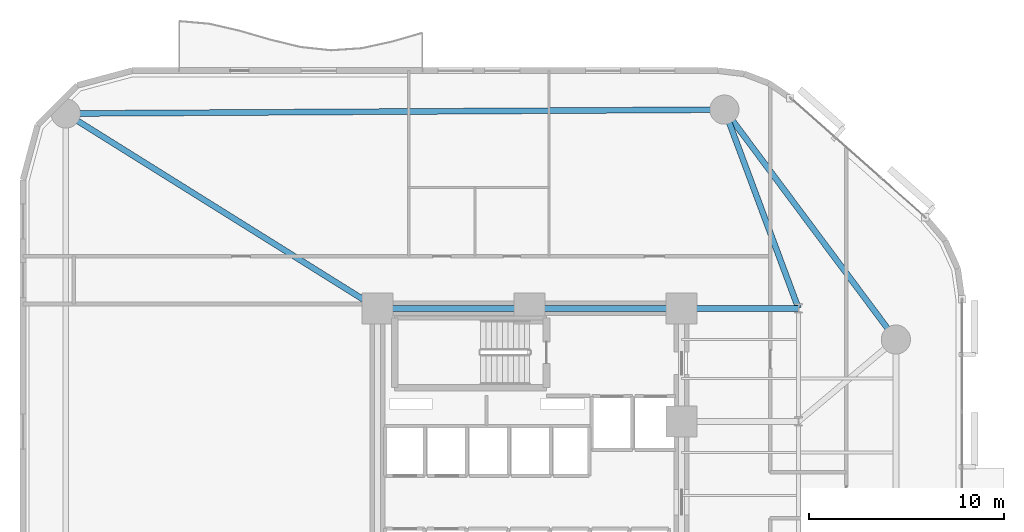
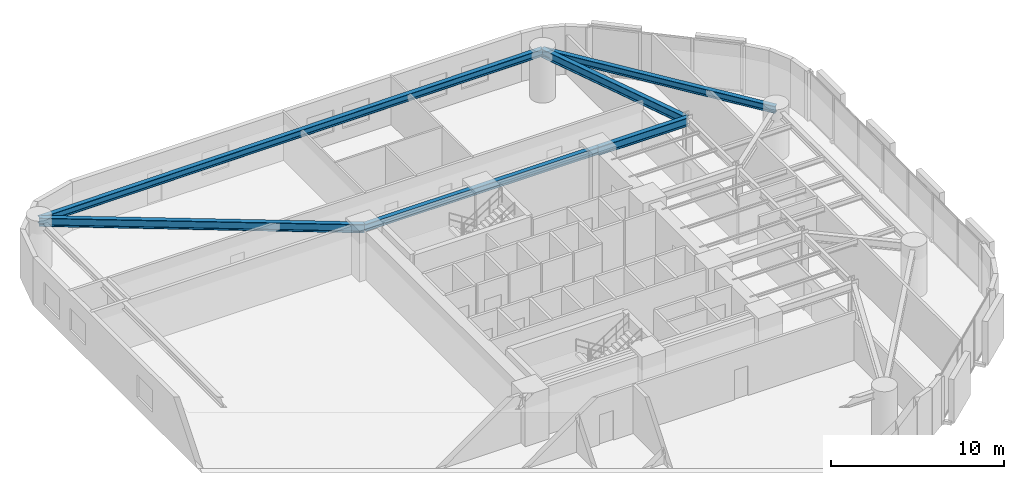
# One storey, part 7 of 15: 6 beams.
"""IFC4 building model written with IfcOpenShell, lengths in metres."""

from ifc_helpers import new_model, si_unit, direction, frame, origin, origin_2d, place, context, subcontext, project, spatial, i_section, extrude, material, material_profile, profile_set, type_object, element, save


model = new_model("IFC4")

# Units and contexts
model_context = context("Model", 3, precision=1e-05, world=origin(), true_north=direction((0.0, 1.0)))
body_context = subcontext(model_context, "Body", "Model", "MODEL_VIEW")
ifc_project = project(units=[si_unit("LENGTHUNIT", "METRE"), si_unit("AREAUNIT", "SQUARE_METRE"), si_unit("VOLUMEUNIT", "CUBIC_METRE"), si_unit("PLANEANGLEUNIT", "RADIAN"), si_unit("MASSUNIT", "GRAM", prefix="KILO")], contexts=[model_context])

# Site, building, storey
site_placement = place(None, origin())
site = spatial("IfcSite", under=ifc_project, at=site_placement, CompositionType="ELEMENT")
building_placement = place(site_placement, origin())
building = spatial("IfcBuilding", under=site, at=building_placement, Name="An Khanh Terracotta Commons", CompositionType="ELEMENT")
storey_placement = place(building_placement, frame((0.0, 0.0, 61.199951171875)))
storey = spatial("IfcBuildingStorey", under=building, at=storey_placement, Name="L16", CompositionType="ELEMENT", Elevation=61.199951171875)

# Beams
ifc_material = material(Name="Steel S355J2", Category="steel")
ifc_material_profile_1 = material_profile(ifc_material, i_section(OverallWidth=0.300048828125, OverallDepth=0.5, WebThickness=0.014404296875, FlangeThickness=0.028076171875, FilletRadius=0.027099609375, at=origin_2d()), Name="HEB500")
ifc_profile_set_1 = profile_set([ifc_material_profile_1], Name="Steel S355J2")
beam_type_1 = type_object("IfcBeamType", Name="BM-HEB500", PredefinedType="BEAM", material=ifc_profile_set_1)
beam_1_placement = place(storey_placement, frame((21.60009765625, 33.60009765625, 3.150146484375), z_axis=(1.0, 0.0, 0.0), x_axis=(0.0, 1.0, 0.0)))
element("IfcBeam", 1, at=beam_1_placement, inside=storey, type_object=beam_type_1, Name="L16 Core North Coupling Girder", PredefinedType="BEAM", context=body_context, shape_type="SweptSolid", body=[
    extrude(i_section(OverallWidth=0.300048828125, OverallDepth=0.5, WebThickness=0.014404296875, FlangeThickness=0.028076171875, FilletRadius=0.027099609375, at=origin_2d()), origin(), (0.0, 0.0, 1.0), 15.599853515625),
])
beam_2_placement = place(storey_placement, frame((48.199951171875, 32.0, 3.150146484375), z_axis=(-0.59782442166, 0.801627070942, 0.0), x_axis=(-0.801627070942, -0.59782442166, 0.0)))
element("IfcBeam", 2, at=beam_2_placement, inside=storey, type_object=beam_type_1, Name="L16 Perimeter Ring Spandrel 4", PredefinedType="BEAM", context=body_context, shape_type="SweptSolid", body=[
    extrude(i_section(OverallWidth=0.300048828125, OverallDepth=0.5, WebThickness=0.014404296875, FlangeThickness=0.028076171875, FilletRadius=0.027099609375, at=origin_2d()), origin(), (0.0, 0.0, 1.0), 14.72021484375),
])
beam_3_placement = place(storey_placement, frame((39.39990234375, 43.800048828125, 3.150146484375), z_axis=(-0.999982502414, -0.005915645817, 0.0), x_axis=(0.005915645817, -0.999982502414, 0.0)))
element("IfcBeam", 3, at=beam_3_placement, inside=storey, type_object=beam_type_1, Name="L16 Perimeter Ring Spandrel 5", PredefinedType="BEAM", context=body_context, shape_type="SweptSolid", body=[
    extrude(i_section(OverallWidth=0.300048828125, OverallDepth=0.5, WebThickness=0.014404296875, FlangeThickness=0.028076171875, FilletRadius=0.027099609375, at=origin_2d()), origin(), (0.0, 0.0, 1.0), 33.80029296875),
])
ifc_material_profile_2 = material_profile(ifc_material, i_section(OverallWidth=0.300048828125, OverallDepth=0.60009765625, WebThickness=0.015380859375, FlangeThickness=0.030029296875, FilletRadius=0.027099609375, at=origin_2d()), Name="HEB600")
ifc_profile_set_2 = profile_set([ifc_material_profile_2], Name="Steel S355J2")
beam_type_2 = type_object("IfcBeamType", Name="BM-HEB600", PredefinedType="BEAM", material=ifc_profile_set_2)
beam_4_placement = place(storey_placement, frame((37.199951171875, 33.60009765625, 3.10009765625), z_axis=(1.0, 0.0, 0.0), x_axis=(0.0, 1.0, 0.0)))
element("IfcBeam", 4, at=beam_4_placement, inside=storey, type_object=beam_type_2, Name="L16 East Primary Floor Girder 4", PredefinedType="BEAM", context=body_context, shape_type="SweptSolid", body=[
    extrude(i_section(OverallWidth=0.300048828125, OverallDepth=0.60009765625, WebThickness=0.015380859375, FlangeThickness=0.030029296875, FilletRadius=0.027099609375, at=origin_2d()), origin(), (0.0, 0.0, 1.0), 6.0),
])
beam_5_placement = place(storey_placement, frame((39.39990234375, 43.800048828125, 3.10009765625), z_axis=(0.349114429862, -0.937080100558, 0.0), x_axis=(0.937080100558, 0.349114429862, 0.0)))
element("IfcBeam", 5, at=beam_5_placement, inside=storey, type_object=beam_type_2, Name="L16 Mega-Column Tie Girder 5", PredefinedType="BEAM", context=body_context, shape_type="SweptSolid", body=[
    extrude(i_section(OverallWidth=0.300048828125, OverallDepth=0.60009765625, WebThickness=0.015380859375, FlangeThickness=0.030029296875, FilletRadius=0.027099609375, at=origin_2d()), origin(), (0.0, 0.0, 1.0), 10.884765625),
])
beam_6_placement = place(storey_placement, frame((5.60009765625, 43.60009765625, 3.10009765625), z_axis=(0.847998304005, -0.529998940003, 0.0), x_axis=(0.529998940003, 0.847998304005, 0.0)))
element("IfcBeam", 6, at=beam_6_placement, inside=storey, type_object=beam_type_2, Name="L16 Mega-Column Tie Girder 6", PredefinedType="BEAM", context=body_context, shape_type="SweptSolid", body=[
    extrude(i_section(OverallWidth=0.300048828125, OverallDepth=0.60009765625, WebThickness=0.015380859375, FlangeThickness=0.030029296875, FilletRadius=0.027099609375, at=origin_2d()), origin(), (0.0, 0.0, 1.0), 18.867919921875),
])

save(model, "model.ifc")
